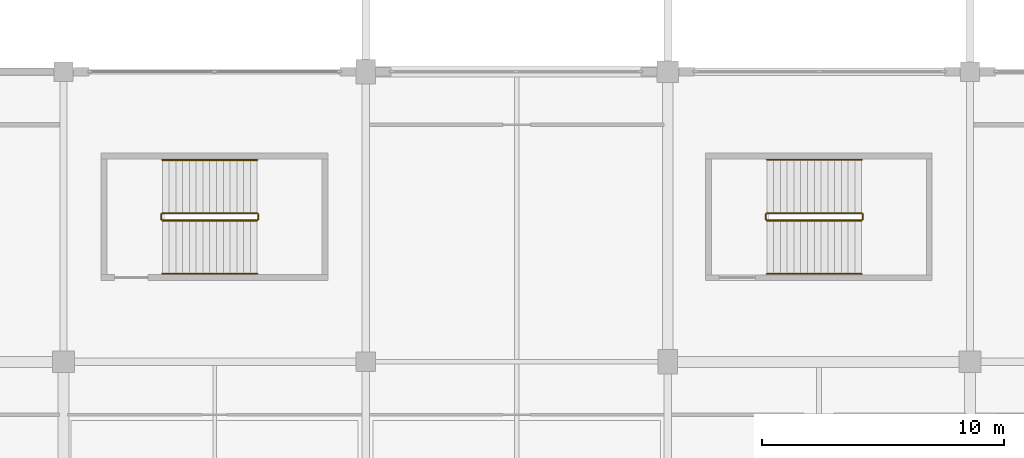
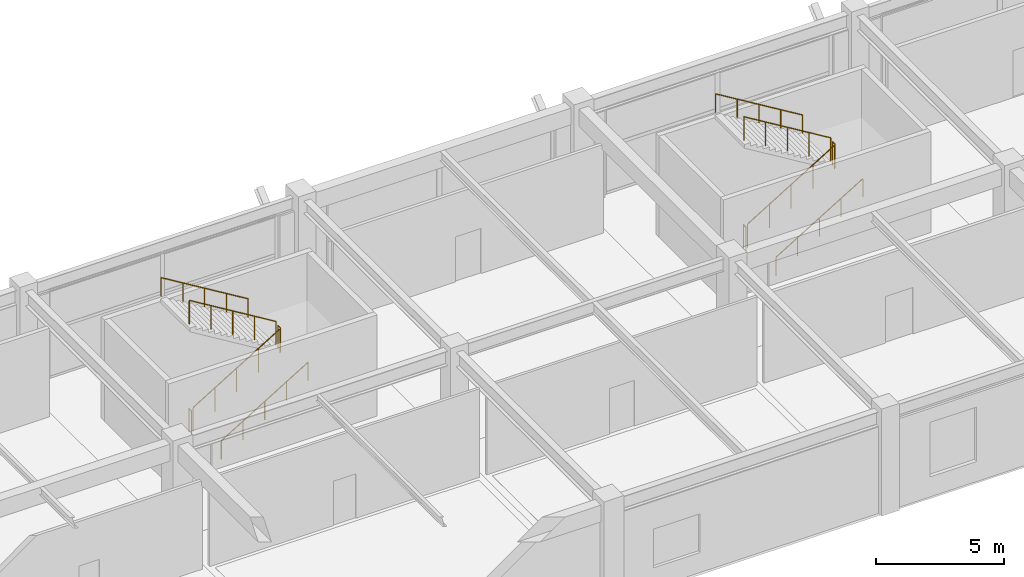
# One storey, part 92 of 116: 12 railings.
"""IFC4 building model written with IfcOpenShell, lengths in metres."""

from ifc_helpers import new_model, si_unit, direction, frame, origin, origin_2d, place, context, subcontext, project, spatial, circle, extrude, material, layer, layer_set, type_object, element, save


model = new_model("IFC4")

# Units and contexts
model_context = context("Model", 3, precision=1e-05, world=origin(), true_north=direction((0.0, 1.0)))
body_context = subcontext(model_context, "Body", "Model", "MODEL_VIEW")
ifc_project = project(units=[si_unit("LENGTHUNIT", "METRE"), si_unit("AREAUNIT", "SQUARE_METRE"), si_unit("VOLUMEUNIT", "CUBIC_METRE"), si_unit("PLANEANGLEUNIT", "RADIAN"), si_unit("MASSUNIT", "GRAM", prefix="KILO")], contexts=[model_context])

# Site, building, storey
site_placement = place(None, origin())
site = spatial("IfcSite", under=ifc_project, at=site_placement, CompositionType="ELEMENT")
building_placement = place(site_placement, origin())
building = spatial("IfcBuilding", under=site, at=building_placement, Name="Kazenohara Klinker Stadium", CompositionType="ELEMENT")
storey_placement = place(building_placement, frame((0.0, 0.0, 10.199951171875)))
storey = spatial("IfcBuildingStorey", under=building, at=storey_placement, Name="L02", CompositionType="ELEMENT", Elevation=10.199951171875)

# Railings
ifc_material_1 = material(Name="Brushed stainless steel 304 handrail", Category="steel")
ifc_layer_1 = layer(ifc_material_1, 0.050048828125)
ifc_layer_set_1 = layer_set([ifc_layer_1], Name="Brushed stainless steel 304 handrail")
railing_type_1 = type_object("IfcRailingType", Name="RL-HND-900", PredefinedType="HANDRAIL", material=ifc_layer_set_1)
railing_1_placement = place(storey_placement, frame((65.590087890625, 27.64990234375, 0.170166015625)))
element("IfcRailing", 1, at=railing_1_placement, inside=storey, type_object=railing_type_1, Name="L02 ST25 stair handrail 1", PredefinedType="HANDRAIL", context=body_context, shape_type="SweptSolid", body=[
    extrude(circle(Radius=0.02392578125, at=origin_2d()), frame((0.0, 0.0, 0.8759765625), z_axis=(0.854794262968, 0.0, 0.518967020143), x_axis=(0.0, 1.0, 0.0)), (0.0, 0.0, 1.0), 4.585693359375),
    extrude(circle(Radius=0.02099609375, at=origin_2d()), origin(), (0.0, 0.0, 1.0), 0.851806640625),
    extrude(circle(Radius=0.02099609375, at=origin_2d()), frame((0.97998046875, 0.0, 0.594970703125)), (0.0, 0.0, 1.0), 0.851806640625),
    extrude(circle(Radius=0.02099609375, at=origin_2d()), frame((1.9599609375, 0.0, 1.18994140625)), (0.0, 0.0, 1.0), 0.851806640625),
    extrude(circle(Radius=0.02099609375, at=origin_2d()), frame((2.93994140625, 0.0, 1.784912109375)), (0.0, 0.0, 1.0), 0.851806640625),
    extrude(circle(Radius=0.02099609375, at=origin_2d()), frame((3.919921875, 0.0, 2.3798828125)), (0.0, 0.0, 1.0), 0.851806640625),
])
railing_2_placement = place(storey_placement, frame((69.510009765625, 32.35009765625, 2.719970703125)))
element("IfcRailing", 2, at=railing_2_placement, inside=storey, type_object=railing_type_1, Name="L02 ST25 stair handrail 2", PredefinedType="HANDRAIL", context=body_context, shape_type="SweptSolid", body=[
    extrude(circle(Radius=0.02392578125, at=origin_2d()), frame((0.0, 0.0, 0.8759765625), z_axis=(-0.854770645689, 0.0, 0.519005918337), x_axis=(0.0, -1.0, 0.0)), (0.0, 0.0, 1.0), 4.5859375),
    extrude(circle(Radius=0.02099609375, at=origin_2d()), origin(), (0.0, 0.0, 1.0), 0.851806640625),
    extrude(circle(Radius=0.02099609375, at=origin_2d()), frame((-0.97998046875, 0.0, 0.594970703125)), (0.0, 0.0, 1.0), 0.851806640625),
    extrude(circle(Radius=0.02099609375, at=origin_2d()), frame((-1.9599609375, 0.0, 1.18994140625)), (0.0, 0.0, 1.0), 0.851806640625),
    extrude(circle(Radius=0.02099609375, at=origin_2d()), frame((-2.93994140625, 0.0, 1.78515625)), (0.0, 0.0, 1.0), 0.851806640625),
    extrude(circle(Radius=0.02099609375, at=origin_2d()), frame((-3.919921875, 0.0, 2.380126953125)), (0.0, 0.0, 1.0), 0.851806640625),
])
railing_3_placement = place(storey_placement, frame((90.60009765625, 27.639892578125, 0.170166015625)))
element("IfcRailing", 3, at=railing_3_placement, inside=storey, type_object=railing_type_1, Name="L02 ST26 stair handrail 1", PredefinedType="HANDRAIL", context=body_context, shape_type="SweptSolid", body=[
    extrude(circle(Radius=0.02392578125, at=origin_2d()), frame((0.0, 0.0, 0.8759765625), z_axis=(0.854794262968, 0.0, 0.518967020143), x_axis=(0.0, 1.0, 0.0)), (0.0, 0.0, 1.0), 4.585693359375),
    extrude(circle(Radius=0.02099609375, at=origin_2d()), origin(), (0.0, 0.0, 1.0), 0.851806640625),
    extrude(circle(Radius=0.02099609375, at=origin_2d()), frame((0.97998046875, 0.0, 0.594970703125)), (0.0, 0.0, 1.0), 0.851806640625),
    extrude(circle(Radius=0.02099609375, at=origin_2d()), frame((1.9599609375, 0.0, 1.18994140625)), (0.0, 0.0, 1.0), 0.851806640625),
    extrude(circle(Radius=0.02099609375, at=origin_2d()), frame((2.93994140625, 0.0, 1.784912109375)), (0.0, 0.0, 1.0), 0.851806640625),
    extrude(circle(Radius=0.02099609375, at=origin_2d()), frame((3.919921875, 0.0, 2.3798828125)), (0.0, 0.0, 1.0), 0.851806640625),
])
railing_4_placement = place(storey_placement, frame((94.52001953125, 32.360107421875, 2.719970703125)))
element("IfcRailing", 4, at=railing_4_placement, inside=storey, type_object=railing_type_1, Name="L02 ST26 stair handrail 2", PredefinedType="HANDRAIL", context=body_context, shape_type="SweptSolid", body=[
    extrude(circle(Radius=0.02392578125, at=origin_2d()), frame((0.0, 0.0, 0.8759765625), z_axis=(-0.854770645689, 0.0, 0.519005918337), x_axis=(0.0, -1.0, 0.0)), (0.0, 0.0, 1.0), 4.5859375),
    extrude(circle(Radius=0.02099609375, at=origin_2d()), origin(), (0.0, 0.0, 1.0), 0.851806640625),
    extrude(circle(Radius=0.02099609375, at=origin_2d()), frame((-0.97998046875, 0.0, 0.594970703125)), (0.0, 0.0, 1.0), 0.851806640625),
    extrude(circle(Radius=0.02099609375, at=origin_2d()), frame((-1.9599609375, 0.0, 1.18994140625)), (0.0, 0.0, 1.0), 0.851806640625),
    extrude(circle(Radius=0.02099609375, at=origin_2d()), frame((-2.93994140625, 0.0, 1.78515625)), (0.0, 0.0, 1.0), 0.851806640625),
    extrude(circle(Radius=0.02099609375, at=origin_2d()), frame((-3.919921875, 0.0, 2.380126953125)), (0.0, 0.0, 1.0), 0.851806640625),
])
ifc_material_2 = material(Name="Painted steel stairwell guardrail", Category="steel")
ifc_layer_2 = layer(ifc_material_2, 0.06005859375)
ifc_layer_set_2 = layer_set([ifc_layer_2], Name="Painted steel stairwell guardrail")
railing_type_2 = type_object("IfcRailingType", Name="RL-STG-1120", PredefinedType="GUARDRAIL", material=ifc_layer_set_2)
railing_5_placement = place(storey_placement, frame((65.590087890625, 29.85009765625, 0.170166015625)))
element("IfcRailing", 5, at=railing_5_placement, inside=storey, type_object=railing_type_2, Name="L02 ST25 stair guard 1", PredefinedType="GUARDRAIL", context=body_context, shape_type="SweptSolid", body=[
    extrude(circle(Radius=0.02392578125, at=origin_2d()), frame((0.0, 0.0, 1.1259765625), z_axis=(0.854794262968, 0.0, 0.518967020143), x_axis=(0.0, 1.0, 0.0)), (0.0, 0.0, 1.0), 4.585693359375),
    extrude(circle(Radius=0.02099609375, at=origin_2d()), origin(), (0.0, 0.0, 1.0), 1.101806640625),
    extrude(circle(Radius=0.02099609375, at=origin_2d()), frame((0.97998046875, 0.0, 0.594970703125)), (0.0, 0.0, 1.0), 1.101806640625),
    extrude(circle(Radius=0.02099609375, at=origin_2d()), frame((1.9599609375, 0.0, 1.18994140625)), (0.0, 0.0, 1.0), 1.101806640625),
    extrude(circle(Radius=0.02099609375, at=origin_2d()), frame((2.93994140625, 0.0, 1.784912109375)), (0.0, 0.0, 1.0), 1.101806640625),
    extrude(circle(Radius=0.02099609375, at=origin_2d()), frame((3.919921875, 0.0, 2.3798828125)), (0.0, 0.0, 1.0), 1.101806640625),
])
railing_6_placement = place(storey_placement, frame((69.56005859375, 29.89990234375, 2.550048828125)))
element("IfcRailing", 6, at=railing_6_placement, inside=storey, type_object=railing_type_2, Name="L02 ST25 stair guard 2", PredefinedType="GUARDRAIL", context=body_context, shape_type="SweptSolid", body=[
    extrude(circle(Radius=0.02392578125, at=origin_2d()), frame((0.0, 0.0, 1.1259765625), z_axis=(0.0, 1.0, 0.0), x_axis=(-1.0, 0.0, 0.0)), (0.0, 0.0, 1.0), 0.2001953125),
    extrude(circle(Radius=0.02099609375, at=origin_2d()), origin(), (0.0, 0.0, 1.0), 1.101806640625),
    extrude(circle(Radius=0.02099609375, at=origin_2d()), frame((0.0, 0.2001953125, 0.0)), (0.0, 0.0, 1.0), 1.101806640625),
])
railing_7_placement = place(storey_placement, frame((69.510009765625, 30.14990234375, 2.719970703125)))
element("IfcRailing", 7, at=railing_7_placement, inside=storey, type_object=railing_type_2, Name="L02 ST25 stair guard 3", PredefinedType="GUARDRAIL", context=body_context, shape_type="SweptSolid", body=[
    extrude(circle(Radius=0.02392578125, at=origin_2d()), frame((0.0, 0.0, 1.1259765625), z_axis=(-0.854770645689, 0.0, 0.519005918337), x_axis=(0.0, -1.0, 0.0)), (0.0, 0.0, 1.0), 4.5859375),
    extrude(circle(Radius=0.02099609375, at=origin_2d()), origin(), (0.0, 0.0, 1.0), 1.101806640625),
    extrude(circle(Radius=0.02099609375, at=origin_2d()), frame((-0.97998046875, 0.0, 0.594970703125)), (0.0, 0.0, 1.0), 1.101806640625),
    extrude(circle(Radius=0.02099609375, at=origin_2d()), frame((-1.9599609375, 0.0, 1.18994140625)), (0.0, 0.0, 1.0), 1.101806640625),
    extrude(circle(Radius=0.02099609375, at=origin_2d()), frame((-2.93994140625, 0.0, 1.78515625)), (0.0, 0.0, 1.0), 1.101806640625),
    extrude(circle(Radius=0.02099609375, at=origin_2d()), frame((-3.919921875, 0.0, 2.380126953125)), (0.0, 0.0, 1.0), 1.101806640625),
])
railing_8_placement = place(storey_placement, frame((65.5400390625, 29.89990234375, 0.0)))
element("IfcRailing", 8, at=railing_8_placement, inside=storey, type_object=railing_type_2, Name="L02 ST25 stair guard 4", PredefinedType="GUARDRAIL", context=body_context, shape_type="SweptSolid", body=[
    extrude(circle(Radius=0.02392578125, at=origin_2d()), frame((0.0, 0.0, 1.1259765625), z_axis=(0.0, 1.0, 0.0), x_axis=(-1.0, 0.0, 0.0)), (0.0, 0.0, 1.0), 0.2001953125),
    extrude(circle(Radius=0.02099609375, at=origin_2d()), origin(), (0.0, 0.0, 1.0), 1.101806640625),
    extrude(circle(Radius=0.02099609375, at=origin_2d()), frame((0.0, 0.2001953125, 0.0)), (0.0, 0.0, 1.0), 1.101806640625),
])
railing_9_placement = place(storey_placement, frame((90.60009765625, 29.85009765625, 0.170166015625)))
element("IfcRailing", 9, at=railing_9_placement, inside=storey, type_object=railing_type_2, Name="L02 ST26 stair guard 1", PredefinedType="GUARDRAIL", context=body_context, shape_type="SweptSolid", body=[
    extrude(circle(Radius=0.02392578125, at=origin_2d()), frame((0.0, 0.0, 1.1259765625), z_axis=(0.854794262968, 0.0, 0.518967020143), x_axis=(0.0, 1.0, 0.0)), (0.0, 0.0, 1.0), 4.585693359375),
    extrude(circle(Radius=0.02099609375, at=origin_2d()), origin(), (0.0, 0.0, 1.0), 1.101806640625),
    extrude(circle(Radius=0.02099609375, at=origin_2d()), frame((0.97998046875, 0.0, 0.594970703125)), (0.0, 0.0, 1.0), 1.101806640625),
    extrude(circle(Radius=0.02099609375, at=origin_2d()), frame((1.9599609375, 0.0, 1.18994140625)), (0.0, 0.0, 1.0), 1.101806640625),
    extrude(circle(Radius=0.02099609375, at=origin_2d()), frame((2.93994140625, 0.0, 1.784912109375)), (0.0, 0.0, 1.0), 1.101806640625),
    extrude(circle(Radius=0.02099609375, at=origin_2d()), frame((3.919921875, 0.0, 2.3798828125)), (0.0, 0.0, 1.0), 1.101806640625),
])
railing_10_placement = place(storey_placement, frame((94.570068359375, 29.89990234375, 2.550048828125)))
element("IfcRailing", 10, at=railing_10_placement, inside=storey, type_object=railing_type_2, Name="L02 ST26 stair guard 2", PredefinedType="GUARDRAIL", context=body_context, shape_type="SweptSolid", body=[
    extrude(circle(Radius=0.02392578125, at=origin_2d()), frame((0.0, 0.0, 1.1259765625), z_axis=(0.0, 1.0, 0.0), x_axis=(-1.0, 0.0, 0.0)), (0.0, 0.0, 1.0), 0.2001953125),
    extrude(circle(Radius=0.02099609375, at=origin_2d()), origin(), (0.0, 0.0, 1.0), 1.101806640625),
    extrude(circle(Radius=0.02099609375, at=origin_2d()), frame((0.0, 0.2001953125, 0.0)), (0.0, 0.0, 1.0), 1.101806640625),
])
railing_11_placement = place(storey_placement, frame((94.52001953125, 30.14990234375, 2.719970703125)))
element("IfcRailing", 11, at=railing_11_placement, inside=storey, type_object=railing_type_2, Name="L02 ST26 stair guard 3", PredefinedType="GUARDRAIL", context=body_context, shape_type="SweptSolid", body=[
    extrude(circle(Radius=0.02392578125, at=origin_2d()), frame((0.0, 0.0, 1.1259765625), z_axis=(-0.854770645689, 0.0, 0.519005918337), x_axis=(0.0, -1.0, 0.0)), (0.0, 0.0, 1.0), 4.5859375),
    extrude(circle(Radius=0.02099609375, at=origin_2d()), origin(), (0.0, 0.0, 1.0), 1.101806640625),
    extrude(circle(Radius=0.02099609375, at=origin_2d()), frame((-0.97998046875, 0.0, 0.594970703125)), (0.0, 0.0, 1.0), 1.101806640625),
    extrude(circle(Radius=0.02099609375, at=origin_2d()), frame((-1.9599609375, 0.0, 1.18994140625)), (0.0, 0.0, 1.0), 1.101806640625),
    extrude(circle(Radius=0.02099609375, at=origin_2d()), frame((-2.93994140625, 0.0, 1.78515625)), (0.0, 0.0, 1.0), 1.101806640625),
    extrude(circle(Radius=0.02099609375, at=origin_2d()), frame((-3.919921875, 0.0, 2.380126953125)), (0.0, 0.0, 1.0), 1.101806640625),
])
railing_12_placement = place(storey_placement, frame((90.550048828125, 29.89990234375, 0.0)))
element("IfcRailing", 12, at=railing_12_placement, inside=storey, type_object=railing_type_2, Name="L02 ST26 stair guard 4", PredefinedType="GUARDRAIL", context=body_context, shape_type="SweptSolid", body=[
    extrude(circle(Radius=0.02392578125, at=origin_2d()), frame((0.0, 0.0, 1.1259765625), z_axis=(0.0, 1.0, 0.0), x_axis=(-1.0, 0.0, 0.0)), (0.0, 0.0, 1.0), 0.2001953125),
    extrude(circle(Radius=0.02099609375, at=origin_2d()), origin(), (0.0, 0.0, 1.0), 1.101806640625),
    extrude(circle(Radius=0.02099609375, at=origin_2d()), frame((0.0, 0.2001953125, 0.0)), (0.0, 0.0, 1.0), 1.101806640625),
])

save(model, "model.ifc")
